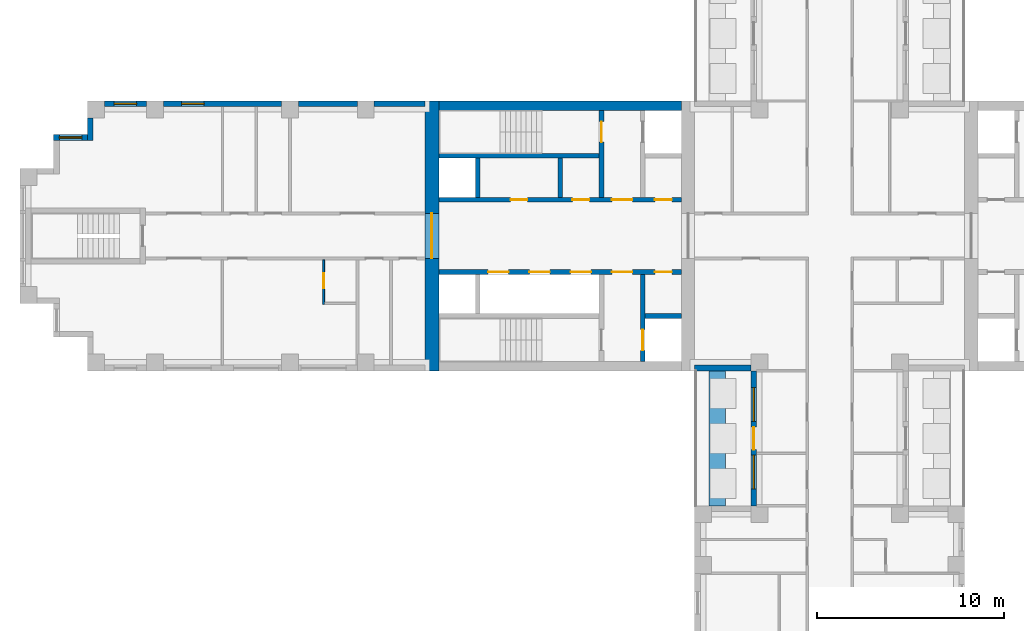
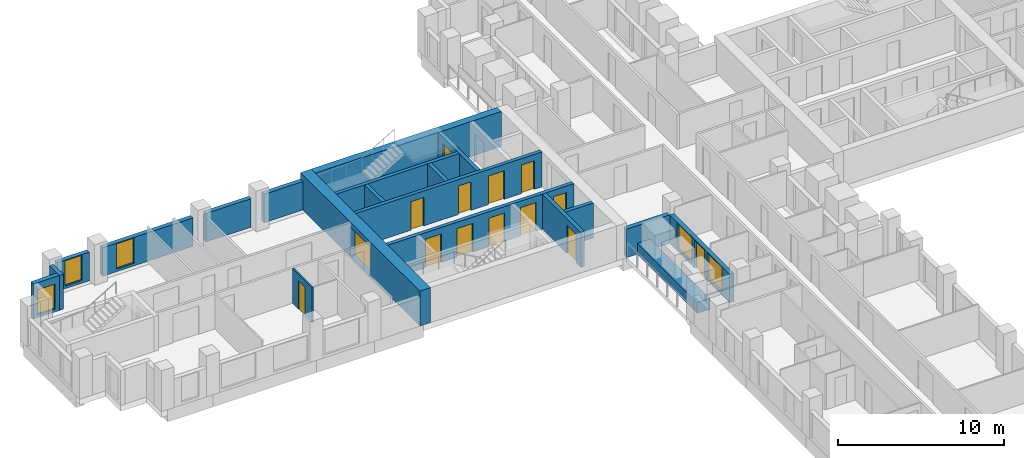
# One storey, part 6 of 13: 20 walls, 14 doors, 5 windows, 19 openings.
"""IFC4 building model written with IfcOpenShell, lengths in metres."""

import ifcopenshell
import ifcopenshell.guid

model = None  # the IFC model being written
_history = None  # IfcOwnerHistory: only IFC2X3 demands one
_inside = {}  # id of a spatial element -> (the spatial element, [elements in it])
_under = {}  # id of a project, library or spatial element -> (it, [spatial elements below it])
_declared = {}  # id of a project -> (the project, [libraries it declares])
_typed = {}  # id of a type object -> (the type object, [elements of that type])
_made_of = {}  # id of a material, layer set ... -> (it, [elements and type objects made of it])


def new_model(schema):
    """Start an empty IFC model of exactly this schema.

    Asked for "IFC4X3", IfcOpenShell would pick the latest addendum, in which some entities
    have other attributes; the version numbers below select the first issue.
    IFC2X3 requires an IfcOwnerHistory on every rooted entity: one is made here for all.
    """
    global model, _history
    if schema == "IFC4X3":
        model = ifcopenshell.file(schema_version=(4, 3, 0, 0))
    else:
        model = ifcopenshell.file(schema=schema)
    _inside.clear()
    _under.clear()
    _declared.clear()
    _typed.clear()
    _made_of.clear()
    _history = None
    if model.schema == "IFC2X3":
        org = make("IfcOrganization", Name="unknown")
        user = make(
            "IfcPersonAndOrganization",
            ThePerson=make("IfcPerson", FamilyName="unknown"),
            TheOrganization=org,
        )
        app = make(
            "IfcApplication",
            ApplicationDeveloper=org,
            Version="unknown",
            ApplicationFullName="unknown",
            ApplicationIdentifier="unknown",
        )
        _history = make(
            "IfcOwnerHistory",
            OwningUser=user,
            OwningApplication=app,
            ChangeAction="ADDED",
            CreationDate=0,
        )
    return model


def make(cls, **values):
    """One entity of the class cls with the attributes given. An attribute that is None is left unset."""
    return model.create_entity(
        cls, **{name: value for name, value in values.items() if value is not None}
    )


def rooted(cls, **values):
    """An entity with a GlobalId (a new one), such as an element, a storey or a relation."""
    return make(cls, GlobalId=ifcopenshell.guid.new(), OwnerHistory=_history, **values)


def si_unit(unit_type, name, prefix=None):
    """IfcSIUnit, for example si_unit("LENGTHUNIT", "METRE", prefix="MILLI")."""
    return make("IfcSIUnit", UnitType=unit_type, Prefix=prefix, Name=name)


def assignment(units):
    """IfcUnitAssignment: the units of a project."""
    return None if units is None else make("IfcUnitAssignment", Units=units)


def point(xyz):
    """IfcCartesianPoint."""
    return None if xyz is None else make("IfcCartesianPoint", Coordinates=xyz)


def direction(xyz):
    """IfcDirection."""
    return None if xyz is None else make("IfcDirection", DirectionRatios=xyz)


def frame(location, z_axis=None, x_axis=None):
    """IfcAxis2Placement3D, a coordinate frame: its origin and axes. An axis left out is left unset."""
    return make(
        "IfcAxis2Placement3D",
        Location=point(location),
        Axis=direction(z_axis),
        RefDirection=direction(x_axis),
    )


def frame_2d(location, x_axis=None):
    """IfcAxis2Placement2D, a coordinate frame in the plane: its origin and x axis."""
    return make(
        "IfcAxis2Placement2D", Location=point(location), RefDirection=direction(x_axis)
    )


def origin():
    """The frame at (0, 0, 0) with its axes left unset."""
    return frame((0.0, 0.0, 0.0))


def place(relative_to, where):
    """IfcLocalPlacement: puts the frame where relative to a parent placement (None: the world)."""
    return make(
        "IfcLocalPlacement", PlacementRelTo=relative_to, RelativePlacement=where
    )


def context(
    kind, dimensions, precision=None, world=None, true_north=None, identifier=None
):
    """IfcGeometricRepresentationContext, for example the 3D "Model" context."""
    return make(
        "IfcGeometricRepresentationContext",
        ContextIdentifier=identifier,
        ContextType=kind,
        CoordinateSpaceDimension=dimensions,
        Precision=precision,
        WorldCoordinateSystem=world,
        TrueNorth=true_north,
    )


def subcontext(parent, identifier, kind, view, scale=None):
    """IfcGeometricRepresentationSubContext, for example "Body" below "Model"."""
    return make(
        "IfcGeometricRepresentationSubContext",
        ContextIdentifier=identifier,
        ContextType=kind,
        ParentContext=parent,
        TargetScale=scale,
        TargetView=view,
    )


def project(units=None, contexts=None):
    """IfcProject with its units and contexts."""
    return rooted(
        "IfcProject",
        Name="project",
        RepresentationContexts=contexts,
        UnitsInContext=assignment(units),
    )


def spatial(cls, under=None, at=None, **own):
    """A site, building, storey or space (cls), placed at a placement, below another one or the project."""
    s = rooted(cls, ObjectPlacement=at, **own)
    if under is not None:
        _under.setdefault(under.id(), (under, []))[1].append(s)
    return s


def profile(cls, at=None, kind="AREA", **sizes):
    """A parametric profile (cls). Its sizes go by their IFC names, for example OverallWidth=200.0."""
    return make(cls, ProfileType=kind, Position=at, **sizes)


def rectangle(**sizes):
    """IfcRectangleProfileDef."""
    return profile("IfcRectangleProfileDef", **sizes)


def extrude(swept, where, along, depth):
    """IfcExtrudedAreaSolid: the profile swept, set in the frame where, extruded along a direction by depth."""
    return make(
        "IfcExtrudedAreaSolid",
        SweptArea=swept,
        Position=where,
        ExtrudedDirection=direction(along),
        Depth=depth,
    )


def shape(context_of_items, identifier, shape_type, items):
    """IfcShapeRepresentation: the items that make up one representation, for example the "Body"."""
    return make(
        "IfcShapeRepresentation",
        ContextOfItems=context_of_items,
        RepresentationIdentifier=identifier,
        RepresentationType=shape_type,
        Items=items,
    )


def material(Name=None, Category=None):
    """IfcMaterial."""
    return make("IfcMaterial", Name=Name, Category=Category)


def layer(
    of_material, thickness, ventilated=None, Name=None, Category=None, Priority=None
):
    """IfcMaterialLayer: one layer of a wall or slab, of a material (None: an air gap)."""
    return make(
        "IfcMaterialLayer",
        Material=of_material,
        LayerThickness=thickness,
        IsVentilated=ventilated,
        Name=Name,
        Category=Category,
        Priority=Priority,
    )


def layer_set(layers, Name=None):
    """IfcMaterialLayerSet."""
    return make("IfcMaterialLayerSet", MaterialLayers=layers, LayerSetName=Name)


def made_of(thing, what):
    """Note that an element or type object is made of a material, layer set ...; save() writes the relation."""
    if what is not None:
        _made_of.setdefault(what.id(), (what, []))[1].append(thing)
    return thing


def type_object(cls, material=None, **own):
    """A type object (cls), such as IfcWallType, which elements share."""
    return made_of(rooted(cls, **own), material)


def element(
    cls,
    number,
    at=None,
    inside=None,
    cuts=None,
    type_object=None,
    material=None,
    context=None,
    identifier="Body",
    shape_type=None,
    held_by="IfcProductDefinitionShape",
    body=None,
    shapes=None,
    **own,
):
    """One element of the class cls, such as IfcWall. Its Tag is "e" and its number.

    at: its placement. inside: the storey or other place that contains it. cuts: it is an
    opening in that element (IfcRelVoidsElement). A single representation is given by context,
    identifier, shape_type and body (its items); several are given by shapes. held_by: the class
    of the entity that holds the representations. save() writes the other relations.
    """
    e = rooted(cls, Tag="e%d" % number, ObjectPlacement=at, **own)
    if body is not None:
        shapes = [shape(context, identifier, shape_type, body)]
    if shapes is not None:
        e.Representation = make(held_by, Representations=shapes)
    if inside is not None:
        _inside.setdefault(inside.id(), (inside, []))[1].append(e)
    if cuts is not None:
        rooted(
            "IfcRelVoidsElement", RelatingBuildingElement=cuts, RelatedOpeningElement=e
        )
    if type_object is not None:
        _typed.setdefault(type_object.id(), (type_object, []))[1].append(e)
    return made_of(e, material)


def fill(opening, filler):
    """IfcRelFillsElement: the door or window that sits in an opening."""
    return rooted(
        "IfcRelFillsElement",
        RelatingOpeningElement=opening,
        RelatedBuildingElement=filler,
    )


def aggregate(whole, parts):
    """IfcRelAggregates: a whole, such as a stair, and the parts it consists of."""
    return rooted("IfcRelAggregates", RelatingObject=whole, RelatedObjects=parts)


def save(model, path):
    """Write the relations noted so far, then the file.

    IfcRelAggregates (storeys below a building ...), IfcRelContainedInSpatialStructure (elements
    in a storey), IfcRelDefinesByType, IfcRelAssociatesMaterial and IfcRelDeclares: one each for
    every whole, place, type object, material and project.
    """
    for whole, parts in _under.values():
        aggregate(whole, parts)
    for where, things in _inside.values():
        rooted(
            "IfcRelContainedInSpatialStructure",
            RelatedElements=things,
            RelatingStructure=where,
        )
    for kind, things in _typed.values():
        rooted("IfcRelDefinesByType", RelatedObjects=things, RelatingType=kind)
    for what, things in _made_of.values():
        rooted("IfcRelAssociatesMaterial", RelatedObjects=things, RelatingMaterial=what)
    for by, libraries in _declared.values():
        rooted("IfcRelDeclares", RelatingContext=by, RelatedDefinitions=libraries)
    model.write(path)


model = new_model("IFC4")

# Units and contexts
model_context = context("Model", 3, precision=1e-05, world=origin(), true_north=direction((0.0, 1.0)))
body_context = subcontext(model_context, "Body", "Model", "MODEL_VIEW")
ifc_project = project(units=[si_unit("LENGTHUNIT", "METRE"), si_unit("AREAUNIT", "SQUARE_METRE"), si_unit("VOLUMEUNIT", "CUBIC_METRE"), si_unit("PLANEANGLEUNIT", "RADIAN"), si_unit("MASSUNIT", "GRAM", prefix="KILO")], contexts=[model_context])

# Site, building, storey
site_placement = place(None, origin())
site = spatial("IfcSite", under=ifc_project, at=site_placement, CompositionType="ELEMENT")
building_placement = place(site_placement, origin())
building = spatial("IfcBuilding", under=site, at=building_placement, Name="Fustian Cross Tower", CompositionType="ELEMENT")
storey_placement = place(building_placement, frame((0.0, 0.0, 81.89990234375)))
storey = spatial("IfcBuildingStorey", under=building, at=storey_placement, Name="L25", CompositionType="ELEMENT", Elevation=81.89990234375)

# Wall, opening, door
ifc_material_1 = material(Name="Concrete C70/85", Category="concrete")
ifc_layer_1 = layer(ifc_material_1, 0.75)
ifc_layer_set_1 = layer_set([ifc_layer_1], Name="Concrete C70/85")
wall_type_1 = type_object("IfcWallType", Name="CORE END WALL 750 C70/85", PredefinedType="SHEAR", material=ifc_layer_set_1)
wall_1_placement = place(storey_placement, frame((-21.22509765625, -7.199951171875, 0.0), z_axis=(0.0, 0.0, 1.0), x_axis=(0.0, 1.0, 0.0)))
wall_1 = element("IfcWall", 1, at=wall_1_placement, inside=storey, type_object=wall_type_1, Name="Core end wall", PredefinedType="SHEAR", context=body_context, shape_type="SweptSolid", body=[
    extrude(rectangle(XDim=14.39990234375, YDim=0.75, at=frame_2d((7.199951171875, 0.0))), origin(), (0.0, 0.0, 1.0), 2.5751953125),
])
opening_1_placement = place(wall_1_placement, frame((6.0, 0.0, 0.0)))
opening_1 = element("IfcOpeningElement", 2, at=opening_1_placement, cuts=wall_1, Name="Opening CD-10-28", PredefinedType="OPENING", context=body_context, shape_type="SweptSolid", body=[
    extrude(rectangle(XDim=2.39990234375, YDim=2.199951171875, at=frame_2d((1.199951171875, 1.10009765625))), frame((0.0, 0.385009765625, 0.0), z_axis=(0.0, -1.0, 0.0), x_axis=(1.0, 0.0, 0.0)), (0.0, 0.0, 1.0), 0.77001953125),
])
ifc_material_2 = material(Name="Steel", Category="steel")
door_type_1 = type_object("IfcDoorType", Name="FIRE DOOR FD30S DOUBLE 2400X2200", OperationType="DOUBLE_DOOR_DOUBLE_SWING", PredefinedType="DOOR", material=ifc_material_2)
door_1_placement = place(opening_1_placement, frame((2.39990234375, 0.0, 0.0), z_axis=(0.0, 0.0, 1.0), x_axis=(-1.0, 0.0, 0.0)))
door_1 = element("IfcDoor", 3, at=door_1_placement, inside=storey, type_object=door_type_1, Name="Core door CD-10-28", OperationType="DOUBLE_DOOR_DOUBLE_SWING", OverallHeight=2.199951171875, OverallWidth=2.39990234375, PredefinedType="DOOR", context=body_context, shape_type="SweptSolid", body=[
    extrude(rectangle(XDim=2.39990234375, YDim=2.199951171875, at=frame_2d((1.199951171875, 1.10009765625))), frame((0.0, 0.02490234375, 0.0), z_axis=(0.0, -1.0, 0.0), x_axis=(1.0, 0.0, 0.0)), (0.0, 0.0, 1.0), 0.050048828125),
])
fill(opening_1, door_1)

# Wall
ifc_material_3 = material(Name="Concrete C70/85", Category="concrete")
ifc_layer_2 = layer(ifc_material_3, 0.5)
ifc_layer_set_2 = layer_set([ifc_layer_2], Name="Concrete C70/85")
wall_type_2 = type_object("IfcWallType", Name="CORE FACADE WALL 500 C70/85", PredefinedType="SHEAR", material=ifc_layer_set_2)
wall_2_placement = place(storey_placement, frame((-7.89990234375, 6.949951171875, 0.0), z_axis=(0.0, 0.0, 1.0), x_axis=(-1.0, 0.0, 0.0)))
element("IfcWall", 4, at=wall_2_placement, inside=storey, type_object=wall_type_2, Name="Core facade wall", PredefinedType="SHEAR", context=body_context, shape_type="SweptSolid", body=[
    extrude(rectangle(XDim=12.9501953125, YDim=0.5, at=frame_2d((6.47509765625, 0.0))), origin(), (0.0, 0.0, 1.0), 2.5751953125),
])

# Wall, openings, doors
ifc_material_4 = material(Name="Concrete C50/60", Category="concrete")
ifc_layer_3 = layer(ifc_material_4, 0.25)
ifc_layer_set_3 = layer_set([ifc_layer_3], Name="Concrete C50/60")
wall_type_3 = type_object("IfcWallType", Name="CORE LOBBY WALL 250 C50/60", PredefinedType="SHEAR", material=ifc_layer_set_3)
wall_3_placement = place(storey_placement, frame((-7.89990234375, 1.925048828125, 0.0), z_axis=(0.0, 0.0, 1.0), x_axis=(-1.0, 0.0, 0.0)))
wall_3 = element("IfcWall", 5, at=wall_3_placement, inside=storey, type_object=wall_type_3, Name="Core lobby wall", PredefinedType="SHEAR", context=body_context, shape_type="SweptSolid", body=[
    extrude(rectangle(XDim=12.9501953125, YDim=0.25, at=frame_2d((6.47509765625, 0.0))), origin(), (0.0, 0.0, 1.0), 2.5751953125),
])
opening_2_placement = place(wall_3_placement, frame((0.52490234375, 0.0, 0.0)))
opening_2 = element("IfcOpeningElement", 6, at=opening_2_placement, cuts=wall_3, Name="Opening CD-10-23", PredefinedType="OPENING", context=body_context, shape_type="SweptSolid", body=[
    extrude(rectangle(XDim=0.89990234375, YDim=2.10009765625, at=frame_2d((0.449951171875, 1.050048828125))), frame((0.0, 0.135009765625, 0.0), z_axis=(0.0, -1.0, 0.0), x_axis=(1.0, 0.0, 0.0)), (0.0, 0.0, 1.0), 0.27001953125),
])
opening_3_placement = place(wall_3_placement, frame((2.625, 0.0, 0.0)))
opening_3 = element("IfcOpeningElement", 7, at=opening_3_placement, cuts=wall_3, Name="Opening CD-10-25", PredefinedType="OPENING", context=body_context, shape_type="SweptSolid", body=[
    extrude(rectangle(XDim=1.10009765625, YDim=2.10009765625, at=frame_2d((0.550048828125, 1.050048828125))), frame((0.0, 0.135009765625, 0.0), z_axis=(0.0, -1.0, 0.0), x_axis=(1.0, 0.0, 0.0)), (0.0, 0.0, 1.0), 0.27001953125),
])
opening_4_placement = place(wall_3_placement, frame((4.925048828125, 0.0, 0.0)))
opening_4 = element("IfcOpeningElement", 8, at=opening_4_placement, cuts=wall_3, Name="Opening CD-10-29", PredefinedType="OPENING", context=body_context, shape_type="SweptSolid", body=[
    extrude(rectangle(XDim=0.89990234375, YDim=2.10009765625, at=frame_2d((0.449951171875, 1.050048828125))), frame((0.0, 0.135009765625, 0.0), z_axis=(0.0, -1.0, 0.0), x_axis=(1.0, 0.0, 0.0)), (0.0, 0.0, 1.0), 0.27001953125),
])
opening_5_placement = place(wall_3_placement, frame((8.22509765625, 0.0, 0.0)))
opening_5 = element("IfcOpeningElement", 9, at=opening_5_placement, cuts=wall_3, Name="Opening CD-10-30", PredefinedType="OPENING", context=body_context, shape_type="SweptSolid", body=[
    extrude(rectangle(XDim=0.89990234375, YDim=2.10009765625, at=frame_2d((0.449951171875, 1.050048828125))), frame((0.0, 0.135009765625, 0.0), z_axis=(0.0, -1.0, 0.0), x_axis=(1.0, 0.0, 0.0)), (0.0, 0.0, 1.0), 0.27001953125),
])
ifc_material_5 = material(Name="Steel", Category="steel")
door_type_2 = type_object("IfcDoorType", Name="FIRE DOOR FD30S 900X2100", OperationType="SINGLE_SWING_LEFT", PredefinedType="DOOR", material=ifc_material_5)
door_2_placement = place(opening_4_placement, frame((0.89990234375, 0.0, 0.0), z_axis=(0.0, 0.0, 1.0), x_axis=(-1.0, 0.0, 0.0)))
door_2 = element("IfcDoor", 10, at=door_2_placement, inside=storey, type_object=door_type_2, Name="Core door CD-10-29", OperationType="SINGLE_SWING_RIGHT", OverallHeight=2.10009765625, OverallWidth=0.89990234375, PredefinedType="DOOR", context=body_context, shape_type="SweptSolid", body=[
    extrude(rectangle(XDim=0.89990234375, YDim=2.10009765625, at=frame_2d((0.449951171875, 1.050048828125))), frame((0.0, 0.02490234375, 0.0), z_axis=(0.0, -1.0, 0.0), x_axis=(1.0, 0.0, 0.0)), (0.0, 0.0, 1.0), 0.050048828125),
])
fill(opening_4, door_2)
door_3_placement = place(opening_5_placement, frame((0.89990234375, 0.0, 0.0), z_axis=(0.0, 0.0, 1.0), x_axis=(-1.0, 0.0, 0.0)))
door_3 = element("IfcDoor", 11, at=door_3_placement, inside=storey, type_object=door_type_2, Name="Core door CD-10-30", OperationType="SINGLE_SWING_LEFT", OverallHeight=2.10009765625, OverallWidth=0.89990234375, PredefinedType="DOOR", context=body_context, shape_type="SweptSolid", body=[
    extrude(rectangle(XDim=0.89990234375, YDim=2.10009765625, at=frame_2d((0.449951171875, 1.050048828125))), frame((0.0, 0.02490234375, 0.0), z_axis=(0.0, -1.0, 0.0), x_axis=(1.0, 0.0, 0.0)), (0.0, 0.0, 1.0), 0.050048828125),
])
fill(opening_5, door_3)
ifc_material_6 = material(Name="Steel", Category="steel")
door_type_3 = type_object("IfcDoorType", Name="FIRE DOOR FD60S 1100X2100", OperationType="SINGLE_SWING_LEFT", PredefinedType="DOOR", material=ifc_material_6)
door_4_placement = place(opening_3_placement, frame((1.10009765625, 0.0, 0.0), z_axis=(0.0, 0.0, 1.0), x_axis=(-1.0, 0.0, 0.0)))
door_4 = element("IfcDoor", 12, at=door_4_placement, inside=storey, type_object=door_type_3, Name="Core door CD-10-25", OperationType="SINGLE_SWING_RIGHT", OverallHeight=2.10009765625, OverallWidth=1.10009765625, PredefinedType="DOOR", context=body_context, shape_type="SweptSolid", body=[
    extrude(rectangle(XDim=1.10009765625, YDim=2.10009765625, at=frame_2d((0.550048828125, 1.050048828125))), frame((0.0, 0.02490234375, 0.0), z_axis=(0.0, -1.0, 0.0), x_axis=(1.0, 0.0, 0.0)), (0.0, 0.0, 1.0), 0.050048828125),
])
fill(opening_3, door_4)
ifc_material_7 = material(Name="Steel", Category="steel")
door_type_4 = type_object("IfcDoorType", Name="FIRE DOOR FD60S 900X2100", OperationType="SINGLE_SWING_LEFT", PredefinedType="DOOR", material=ifc_material_7)
door_5_placement = place(opening_2_placement, frame((0.89990234375, 0.0, 0.0), z_axis=(0.0, 0.0, 1.0), x_axis=(-1.0, 0.0, 0.0)))
door_5 = element("IfcDoor", 13, at=door_5_placement, inside=storey, type_object=door_type_4, Name="Core door CD-10-23", OperationType="SINGLE_SWING_RIGHT", OverallHeight=2.10009765625, OverallWidth=0.89990234375, PredefinedType="DOOR", context=body_context, shape_type="SweptSolid", body=[
    extrude(rectangle(XDim=0.89990234375, YDim=2.10009765625, at=frame_2d((0.449951171875, 1.050048828125))), frame((0.0, 0.02490234375, 0.0), z_axis=(0.0, -1.0, 0.0), x_axis=(1.0, 0.0, 0.0)), (0.0, 0.0, 1.0), 0.050048828125),
])
fill(opening_2, door_5)

wall_4_placement = place(storey_placement, frame((-7.89990234375, -1.925048828125, 0.0), z_axis=(0.0, 0.0, 1.0), x_axis=(-1.0, 0.0, 0.0)))
wall_4 = element("IfcWall", 14, at=wall_4_placement, inside=storey, type_object=wall_type_3, Name="Core lobby wall", PredefinedType="SHEAR", context=body_context, shape_type="SweptSolid", body=[
    extrude(rectangle(XDim=12.9501953125, YDim=0.25, at=frame_2d((6.47509765625, 0.0))), origin(), (0.0, 0.0, 1.0), 2.5751953125),
])
opening_6_placement = place(wall_4_placement, frame((4.824951171875, 0.0, 0.0)))
opening_6 = element("IfcOpeningElement", 15, at=opening_6_placement, cuts=wall_4, Name="Opening LD", PredefinedType="OPENING", context=body_context, shape_type="SweptSolid", body=[
    extrude(rectangle(XDim=1.10009765625, YDim=2.10009765625, at=frame_2d((0.550048828125, 1.050048828125))), frame((0.0, 0.135009765625, 0.0), z_axis=(0.0, -1.0, 0.0), x_axis=(1.0, 0.0, 0.0)), (0.0, 0.0, 1.0), 0.27001953125),
])
opening_7_placement = place(wall_4_placement, frame((7.02490234375, 0.0, 0.0)))
opening_7 = element("IfcOpeningElement", 16, at=opening_7_placement, cuts=wall_4, Name="Opening LD", PredefinedType="OPENING", context=body_context, shape_type="SweptSolid", body=[
    extrude(rectangle(XDim=1.10009765625, YDim=2.10009765625, at=frame_2d((0.550048828125, 1.050048828125))), frame((0.0, 0.135009765625, 0.0), z_axis=(0.0, -1.0, 0.0), x_axis=(1.0, 0.0, 0.0)), (0.0, 0.0, 1.0), 0.27001953125),
])
opening_8_placement = place(wall_4_placement, frame((9.22509765625, 0.0, 0.0)))
opening_8 = element("IfcOpeningElement", 17, at=opening_8_placement, cuts=wall_4, Name="Opening LD", PredefinedType="OPENING", context=body_context, shape_type="SweptSolid", body=[
    extrude(rectangle(XDim=1.10009765625, YDim=2.10009765625, at=frame_2d((0.550048828125, 1.050048828125))), frame((0.0, 0.135009765625, 0.0), z_axis=(0.0, -1.0, 0.0), x_axis=(1.0, 0.0, 0.0)), (0.0, 0.0, 1.0), 0.27001953125),
])
opening_9_placement = place(wall_4_placement, frame((0.52490234375, 0.0, 0.0)))
opening_9 = element("IfcOpeningElement", 18, at=opening_9_placement, cuts=wall_4, Name="Opening CD-10-24", PredefinedType="OPENING", context=body_context, shape_type="SweptSolid", body=[
    extrude(rectangle(XDim=0.89990234375, YDim=2.10009765625, at=frame_2d((0.449951171875, 1.050048828125))), frame((0.0, 0.135009765625, 0.0), z_axis=(0.0, -1.0, 0.0), x_axis=(1.0, 0.0, 0.0)), (0.0, 0.0, 1.0), 0.27001953125),
])
opening_10_placement = place(wall_4_placement, frame((2.625, 0.0, 0.0)))
opening_10 = element("IfcOpeningElement", 19, at=opening_10_placement, cuts=wall_4, Name="Opening CD-10-26", PredefinedType="OPENING", context=body_context, shape_type="SweptSolid", body=[
    extrude(rectangle(XDim=1.10009765625, YDim=2.10009765625, at=frame_2d((0.550048828125, 1.050048828125))), frame((0.0, 0.135009765625, 0.0), z_axis=(0.0, -1.0, 0.0), x_axis=(1.0, 0.0, 0.0)), (0.0, 0.0, 1.0), 0.27001953125),
])
ifc_material_8 = material(Name="Steel", Category="steel")
door_type_5 = type_object("IfcDoorType", Name="FIRE DOOR FD30S 1100X2100", OperationType="SINGLE_SWING_LEFT", PredefinedType="DOOR", material=ifc_material_8)
door_6_placement = place(opening_10_placement, frame((1.10009765625, 0.0, 0.0), z_axis=(0.0, 0.0, 1.0), x_axis=(-1.0, 0.0, 0.0)))
door_6 = element("IfcDoor", 20, at=door_6_placement, inside=storey, type_object=door_type_5, Name="Core door CD-10-26", OperationType="SINGLE_SWING_RIGHT", OverallHeight=2.10009765625, OverallWidth=1.10009765625, PredefinedType="DOOR", context=body_context, shape_type="SweptSolid", body=[
    extrude(rectangle(XDim=1.10009765625, YDim=2.10009765625, at=frame_2d((0.550048828125, 1.050048828125))), frame((0.0, 0.02490234375, 0.0), z_axis=(0.0, -1.0, 0.0), x_axis=(1.0, 0.0, 0.0)), (0.0, 0.0, 1.0), 0.050048828125),
])
fill(opening_10, door_6)
door_7_placement = place(opening_9_placement, origin())
door_7 = element("IfcDoor", 21, at=door_7_placement, inside=storey, type_object=door_type_2, Name="Core door CD-10-24", OperationType="SINGLE_SWING_LEFT", OverallHeight=2.10009765625, OverallWidth=0.89990234375, PredefinedType="DOOR", context=body_context, shape_type="SweptSolid", body=[
    extrude(rectangle(XDim=0.89990234375, YDim=2.10009765625, at=frame_2d((0.449951171875, 1.050048828125))), frame((0.0, 0.02490234375, 0.0), z_axis=(0.0, -1.0, 0.0), x_axis=(1.0, 0.0, 0.0)), (0.0, 0.0, 1.0), 0.050048828125),
])
fill(opening_9, door_7)
ifc_material_9 = material(Name="Stainless steel", Category="steel")
door_type_6 = type_object("IfcDoorType", Name="LIFT LANDING DOOR 1100X2100", OperationType="SLIDING_TO_LEFT", PredefinedType="DOOR", material=ifc_material_9)
door_8_placement = place(opening_6_placement, origin())
door_8 = element("IfcDoor", 22, at=door_8_placement, inside=storey, type_object=door_type_6, Name="Landing door LR1W", OperationType="SLIDING_TO_LEFT", OverallHeight=2.10009765625, OverallWidth=1.10009765625, PredefinedType="DOOR", context=body_context, shape_type="SweptSolid", body=[
    extrude(rectangle(XDim=1.10009765625, YDim=2.10009765625, at=frame_2d((0.550048828125, 1.050048828125))), frame((0.0, 0.02490234375, 0.0), z_axis=(0.0, -1.0, 0.0), x_axis=(1.0, 0.0, 0.0)), (0.0, 0.0, 1.0), 0.050048828125),
])
fill(opening_6, door_8)
door_9_placement = place(opening_7_placement, origin())
door_9 = element("IfcDoor", 23, at=door_9_placement, inside=storey, type_object=door_type_6, Name="Landing door LR2W", OperationType="SLIDING_TO_LEFT", OverallHeight=2.10009765625, OverallWidth=1.10009765625, PredefinedType="DOOR", context=body_context, shape_type="SweptSolid", body=[
    extrude(rectangle(XDim=1.10009765625, YDim=2.10009765625, at=frame_2d((0.550048828125, 1.050048828125))), frame((0.0, 0.02490234375, 0.0), z_axis=(0.0, -1.0, 0.0), x_axis=(1.0, 0.0, 0.0)), (0.0, 0.0, 1.0), 0.050048828125),
])
fill(opening_7, door_9)
door_10_placement = place(opening_8_placement, origin())
door_10 = element("IfcDoor", 24, at=door_10_placement, inside=storey, type_object=door_type_6, Name="Landing door LR3W", OperationType="SLIDING_TO_LEFT", OverallHeight=2.10009765625, OverallWidth=1.10009765625, PredefinedType="DOOR", context=body_context, shape_type="SweptSolid", body=[
    extrude(rectangle(XDim=1.10009765625, YDim=2.10009765625, at=frame_2d((0.550048828125, 1.050048828125))), frame((0.0, 0.02490234375, 0.0), z_axis=(0.0, -1.0, 0.0), x_axis=(1.0, 0.0, 0.0)), (0.0, 0.0, 1.0), 0.050048828125),
])
fill(opening_8, door_10)

# Wall
ifc_material_10 = material(Name="Concrete C50/60", Category="concrete")
ifc_layer_4 = layer(ifc_material_10, 0.25)
ifc_layer_set_4 = layer_set([ifc_layer_4], Name="Concrete C50/60")
wall_type_4 = type_object("IfcWallType", Name="CORE SHAFT WALL 250 C50/60", PredefinedType="SHEAR", material=ifc_layer_set_4)
wall_5_placement = place(storey_placement, frame((-12.300048828125, 4.27490234375, 0.0), z_axis=(0.0, 0.0, 1.0), x_axis=(-1.0, 0.0, 0.0)))
element("IfcWall", 25, at=wall_5_placement, inside=storey, type_object=wall_type_4, Name="Core shaft wall", PredefinedType="SHEAR", context=body_context, shape_type="SweptSolid", body=[
    extrude(rectangle(XDim=8.550048828125, YDim=0.25, at=frame_2d((4.27490234375, 0.0))), origin(), (0.0, 0.0, 1.0), 2.5751953125),
])

# Wall, opening, door
wall_6_placement = place(storey_placement, frame((-12.175048828125, 2.050048828125, 0.0), z_axis=(0.0, 0.0, 1.0), x_axis=(0.0, 1.0, 0.0)))
wall_6 = element("IfcWall", 26, at=wall_6_placement, inside=storey, type_object=wall_type_4, Name="Core shaft wall", PredefinedType="SHEAR", context=body_context, shape_type="SweptSolid", body=[
    extrude(rectangle(XDim=4.64990234375, YDim=0.25, at=frame_2d((2.324951171875, 0.0))), origin(), (0.0, 0.0, 1.0), 2.5751953125),
])
opening_11_placement = place(wall_6_placement, frame((2.949951171875, 0.0, 0.0)))
opening_11 = element("IfcOpeningElement", 27, at=opening_11_placement, cuts=wall_6, Name="Opening CD-10-21", PredefinedType="OPENING", context=body_context, shape_type="SweptSolid", body=[
    extrude(rectangle(XDim=1.10009765625, YDim=2.10009765625, at=frame_2d((0.550048828125, 1.050048828125))), frame((0.0, 0.135009765625, 0.0), z_axis=(0.0, -1.0, 0.0), x_axis=(1.0, 0.0, 0.0)), (0.0, 0.0, 1.0), 0.27001953125),
])
door_11_placement = place(opening_11_placement, origin())
door_11 = element("IfcDoor", 28, at=door_11_placement, inside=storey, type_object=door_type_3, Name="Core door CD-10-21", OperationType="SINGLE_SWING_LEFT", OverallHeight=2.10009765625, OverallWidth=1.10009765625, PredefinedType="DOOR", context=body_context, shape_type="SweptSolid", body=[
    extrude(rectangle(XDim=1.10009765625, YDim=2.10009765625, at=frame_2d((0.550048828125, 1.050048828125))), frame((0.0, 0.02490234375, 0.0), z_axis=(0.0, -1.0, 0.0), x_axis=(1.0, 0.0, 0.0)), (0.0, 0.0, 1.0), 0.050048828125),
])
fill(opening_11, door_11)

# Wall
wall_7_placement = place(storey_placement, frame((-7.89990234375, -4.27490234375, 0.0), z_axis=(0.0, 0.0, 1.0), x_axis=(-1.0, 0.0, 0.0)))
element("IfcWall", 29, at=wall_7_placement, inside=storey, type_object=wall_type_4, Name="Core shaft wall", PredefinedType="SHEAR", context=body_context, shape_type="SweptSolid", body=[
    extrude(rectangle(XDim=1.9501953125, YDim=0.25, at=frame_2d((0.97509765625, 0.0))), origin(), (0.0, 0.0, 1.0), 2.5751953125),
])

# Wall, opening, door
wall_8_placement = place(storey_placement, frame((-9.97509765625, -2.050048828125, 0.0), z_axis=(0.0, 0.0, 1.0), x_axis=(0.0, -1.0, 0.0)))
wall_8 = element("IfcWall", 30, at=wall_8_placement, inside=storey, type_object=wall_type_4, Name="Core shaft wall", PredefinedType="SHEAR", context=body_context, shape_type="SweptSolid", body=[
    extrude(rectangle(XDim=4.64990234375, YDim=0.25, at=frame_2d((2.324951171875, 0.0))), origin(), (0.0, 0.0, 1.0), 2.5751953125),
])
opening_12_placement = place(wall_8_placement, frame((2.949951171875, 0.0, 0.0)))
opening_12 = element("IfcOpeningElement", 31, at=opening_12_placement, cuts=wall_8, Name="Opening LD", PredefinedType="OPENING", context=body_context, shape_type="SweptSolid", body=[
    extrude(rectangle(XDim=1.10009765625, YDim=2.10009765625, at=frame_2d((0.550048828125, 1.050048828125))), frame((0.0, 0.135009765625, 0.0), z_axis=(0.0, -1.0, 0.0), x_axis=(1.0, 0.0, 0.0)), (0.0, 0.0, 1.0), 0.27001953125),
])
door_12_placement = place(opening_12_placement, origin())
door_12 = element("IfcDoor", 32, at=door_12_placement, inside=storey, type_object=door_type_6, Name="Landing door SV1W", OperationType="SLIDING_TO_LEFT", OverallHeight=2.10009765625, OverallWidth=1.10009765625, PredefinedType="DOOR", context=body_context, shape_type="SweptSolid", body=[
    extrude(rectangle(XDim=1.10009765625, YDim=2.10009765625, at=frame_2d((0.550048828125, 1.050048828125))), frame((0.0, 0.02490234375, 0.0), z_axis=(0.0, -1.0, 0.0), x_axis=(1.0, 0.0, 0.0)), (0.0, 0.0, 1.0), 0.050048828125),
])
fill(opening_12, door_12)

ifc_material_11 = material(Name="Plasterboard on steel stud", Category="steel")
ifc_layer_5 = layer(ifc_material_11, 0.10009765625)
ifc_layer_set_5 = layer_set([ifc_layer_5], Name="Plasterboard on steel stud")
wall_type_5 = type_object("IfcWallType", Name="PARTITION 100 STUD", PredefinedType="PARTITIONING", material=ifc_layer_set_5)
wall_9_placement = place(storey_placement, frame((-27.0, -3.64990234375, 0.0), z_axis=(0.0, 0.0, 1.0), x_axis=(0.0, 1.0, 0.0)))
wall_9 = element("IfcWall", 33, at=wall_9_placement, inside=storey, type_object=wall_type_5, Name="Partition 7", PredefinedType="PARTITIONING", context=body_context, shape_type="SweptSolid", body=[
    extrude(rectangle(XDim=2.375, YDim=0.10009765625, at=frame_2d((1.1875, 0.0))), origin(), (0.0, 0.0, 1.0), 2.5751953125),
])
opening_13_placement = place(wall_9_placement, frame((0.85009765625, 0.0, 0.0)))
opening_13 = element("IfcOpeningElement", 34, at=opening_13_placement, cuts=wall_9, Name="Opening D12030", PredefinedType="OPENING", context=body_context, shape_type="SweptSolid", body=[
    extrude(rectangle(XDim=0.800048828125, YDim=2.10009765625, at=frame_2d((0.39990234375, 1.050048828125))), frame((0.0, 0.06005859375, 0.0), z_axis=(0.0, -1.0, 0.0), x_axis=(1.0, 0.0, 0.0)), (0.0, 0.0, 1.0), 0.1201171875),
])
ifc_material_12 = material(Name="Painted timber", Category="wood")
door_type_7 = type_object("IfcDoorType", Name="SWING DOOR 800", OperationType="SINGLE_SWING_LEFT", PredefinedType="DOOR", material=ifc_material_12)
door_13_placement = place(opening_13_placement, frame((0.800048828125, 0.0, 0.0), z_axis=(0.0, 0.0, 1.0), x_axis=(-1.0, 0.0, 0.0)))
door_13 = element("IfcDoor", 35, at=door_13_placement, inside=storey, type_object=door_type_7, Name="Door D12030", OperationType="SINGLE_SWING_RIGHT", OverallHeight=2.10009765625, OverallWidth=0.800048828125, PredefinedType="DOOR", context=body_context, shape_type="SweptSolid", body=[
    extrude(rectangle(XDim=0.800048828125, YDim=2.10009765625, at=frame_2d((0.39990234375, 1.050048828125))), frame((0.0, 0.02490234375, 0.0), z_axis=(0.0, -1.0, 0.0), x_axis=(1.0, 0.0, 0.0)), (0.0, 0.0, 1.0), 0.050048828125),
])
fill(opening_13, door_13)

# Walls
ifc_material_13 = material(Name="Concrete C40/50", Category="concrete")
ifc_layer_6 = layer(ifc_material_13, 0.89990234375)
ifc_layer_set_6 = layer_set([ifc_layer_6], Name="Concrete C40/50")
wall_type_6 = type_object("IfcWallType", Name="PK1 PLANTER 900", PredefinedType="PARAPET", material=ifc_layer_set_6)
wall_10_placement = place(storey_placement, frame((-6.0, -14.39990234375, 0.0), z_axis=(0.0, 0.0, 1.0), x_axis=(0.0, 1.0, 0.0)))
element("IfcWall", 36, at=wall_10_placement, inside=storey, type_object=wall_type_6, Name="PLANTER", PredefinedType="PARAPET", context=body_context, shape_type="SweptSolid", body=[
    extrude(rectangle(XDim=7.199951171875, YDim=0.89990234375, at=frame_2d((3.60009765625, 0.0))), origin(), (0.0, 0.0, 1.0), 0.800048828125),
])
ifc_material_14 = material(Name="Concrete C40/50", Category="concrete")
ifc_layer_7 = layer(ifc_material_14, 0.25)
ifc_layer_set_7 = layer_set([ifc_layer_7], Name="Concrete C40/50")
wall_type_7 = type_object("IfcWallType", Name="SHAFT PARTITION WALL 250 C40/50", PredefinedType="PARTITIONING", material=ifc_layer_set_7)
for number, where, z_axis, x_axis, name in (
    (37, (-14.375, 2.050048828125, 0.0), (0.0, 0.0, 1.0), (0.0, 1.0, 0.0), "Core shaft wall"),
    (38, (-18.77490234375, 2.050048828125, 0.0), (0.0, 0.0, 1.0), (0.0, 1.0, 0.0), "Core shaft wall"),
):
    element("IfcWall", number, at=place(storey_placement, frame(where, z_axis=z_axis, x_axis=x_axis)), inside=storey, type_object=wall_type_7, Name=name, PredefinedType="PARTITIONING", context=body_context, shape_type="SweptSolid", body=[
        extrude(rectangle(XDim=2.099853515625, YDim=0.25, at=frame_2d((1.0498046875, 0.0))), origin(), (0.0, 0.0, 1.0), 2.5751953125),
    ])
ifc_material_15 = material(Name="Dark aluminium cladding on insulated backing wall", Category="aluminium")
ifc_layer_8 = layer(ifc_material_15, 0.300048828125)
ifc_layer_set_8 = layer_set([ifc_layer_8], Name="Dark aluminium cladding on insulated backing wall")
wall_type_8 = type_object("IfcWallType", Name="XW1 EXTERNAL WALL 300", PredefinedType="SOLIDWALL", material=ifc_layer_set_8)
wall_11_placement = place(storey_placement, frame((-21.60009765625, 7.050048828125, 0.0), z_axis=(0.0, 0.0, 1.0), x_axis=(-1.0, 0.0, 0.0)))
element("IfcWall", 39, at=wall_11_placement, inside=storey, type_object=wall_type_8, Name="External wall", PredefinedType="SOLIDWALL", context=body_context, shape_type="SweptSolid", body=[
    extrude(rectangle(XDim=2.699951171875, YDim=0.300048828125, at=frame_2d((1.35009765625, 0.0))), origin(), (0.0, 0.0, 1.0), 2.10009765625),
])
wall_12_placement = place(storey_placement, frame((-25.199951171875, 7.050048828125, 0.0), z_axis=(0.0, 0.0, 1.0), x_axis=(-1.0, 0.0, 0.0)))
element("IfcWall", 40, at=wall_12_placement, inside=storey, type_object=wall_type_8, Name="External wall", PredefinedType="SOLIDWALL", context=body_context, shape_type="SweptSolid", body=[
    extrude(rectangle(XDim=3.150146484375, YDim=0.300048828125, at=frame_2d((1.5751953125, 0.0))), origin(), (0.0, 0.0, 1.0), 2.10009765625),
])

# Wall, opening, window
wall_13_placement = place(storey_placement, frame((-29.25, 7.050048828125, 0.0), z_axis=(0.0, 0.0, 1.0), x_axis=(-1.0, 0.0, 0.0)))
wall_13 = element("IfcWall", 41, at=wall_13_placement, inside=storey, type_object=wall_type_8, Name="External wall", PredefinedType="SOLIDWALL", context=body_context, shape_type="SweptSolid", body=[
    extrude(rectangle(XDim=6.300048828125, YDim=0.300048828125, at=frame_2d((3.14990234375, 0.0))), origin(), (0.0, 0.0, 1.0), 2.10009765625),
])
opening_14_placement = place(wall_13_placement, frame((4.125, 0.0, 0.199951171875)))
opening_14 = element("IfcOpeningElement", 42, at=opening_14_placement, cuts=wall_13, Name="Opening WN3", PredefinedType="OPENING", context=body_context, shape_type="SweptSolid", body=[
    extrude(rectangle(XDim=1.199951171875, YDim=1.85009765625, at=frame_2d((0.60009765625, 0.925048828125))), frame((0.0, 0.159912109375, 0.0), z_axis=(0.0, -1.0, 0.0), x_axis=(1.0, 0.0, 0.0)), (0.0, 0.0, 1.0), 0.320068359375),
])
ifc_material_16 = material(Name="Dark anodised aluminium and double glazing", Category="aluminium")
window_type_1 = type_object("IfcWindowType", Name="WN3 WINDOW 1200X1850", PartitioningType="SINGLE_PANEL", PredefinedType="WINDOW", material=ifc_material_16)
window_1_placement = place(opening_14_placement, origin())
window_1 = element("IfcWindow", 43, at=window_1_placement, inside=storey, type_object=window_type_1, Name="Window", OverallHeight=1.85009765625, OverallWidth=1.199951171875, PartitioningType="SINGLE_PANEL", PredefinedType="WINDOW", context=body_context, shape_type="SweptSolid", body=[
    extrude(rectangle(XDim=1.199951171875, YDim=1.85009765625, at=frame_2d((0.60009765625, 0.925048828125))), frame((0.0, 0.030029296875, 0.0), z_axis=(0.0, -1.0, 0.0), x_axis=(1.0, 0.0, 0.0)), (0.0, 0.0, 1.0), 0.06005859375),
])
fill(opening_14, window_1)

wall_14_placement = place(storey_placement, frame((-36.449951171875, 7.050048828125, 0.0), z_axis=(0.0, 0.0, 1.0), x_axis=(-1.0, 0.0, 0.0)))
wall_14 = element("IfcWall", 44, at=wall_14_placement, inside=storey, type_object=wall_type_8, Name="External wall", PredefinedType="SOLIDWALL", context=body_context, shape_type="SweptSolid", body=[
    extrude(rectangle(XDim=2.25, YDim=0.300048828125, at=frame_2d((1.125, 0.0))), origin(), (0.0, 0.0, 1.0), 2.10009765625),
])
opening_15_placement = place(wall_14_placement, frame((0.52490234375, 0.0, 0.199951171875)))
opening_15 = element("IfcOpeningElement", 45, at=opening_15_placement, cuts=wall_14, Name="Opening WN3", PredefinedType="OPENING", context=body_context, shape_type="SweptSolid", body=[
    extrude(rectangle(XDim=1.199951171875, YDim=1.85009765625, at=frame_2d((0.60009765625, 0.925048828125))), frame((0.0, 0.159912109375, 0.0), z_axis=(0.0, -1.0, 0.0), x_axis=(1.0, 0.0, 0.0)), (0.0, 0.0, 1.0), 0.320068359375),
])
window_2_placement = place(opening_15_placement, origin())
window_2 = element("IfcWindow", 46, at=window_2_placement, inside=storey, type_object=window_type_1, Name="Window", OverallHeight=1.85009765625, OverallWidth=1.199951171875, PartitioningType="SINGLE_PANEL", PredefinedType="WINDOW", context=body_context, shape_type="SweptSolid", body=[
    extrude(rectangle(XDim=1.199951171875, YDim=1.85009765625, at=frame_2d((0.60009765625, 0.925048828125))), frame((0.0, 0.030029296875, 0.0), z_axis=(0.0, -1.0, 0.0), x_axis=(1.0, 0.0, 0.0)), (0.0, 0.0, 1.0), 0.06005859375),
])
fill(opening_15, window_2)

# Wall
wall_15_placement = place(storey_placement, frame((-39.449951171875, 6.300048828125, 0.0), z_axis=(0.0, 0.0, 1.0), x_axis=(0.0, -1.0, 0.0)))
element("IfcWall", 47, at=wall_15_placement, inside=storey, type_object=wall_type_8, Name="External wall", PredefinedType="SOLIDWALL", context=body_context, shape_type="SweptSolid", body=[
    extrude(rectangle(XDim=1.199951171875, YDim=0.300048828125, at=frame_2d((0.60009765625, 0.0))), origin(), (0.0, 0.0, 1.0), 2.5751953125),
])

# Wall, opening, window
wall_16_placement = place(storey_placement, frame((-39.60009765625, 5.25, 0.0), z_axis=(0.0, 0.0, 1.0), x_axis=(-1.0, 0.0, 0.0)))
wall_16 = element("IfcWall", 48, at=wall_16_placement, inside=storey, type_object=wall_type_8, Name="External wall", PredefinedType="SOLIDWALL", context=body_context, shape_type="SweptSolid", body=[
    extrude(rectangle(XDim=1.7998046875, YDim=0.300048828125, at=frame_2d((0.89990234375, 0.0))), origin(), (0.0, 0.0, 1.0), 2.5751953125),
])
opening_16_placement = place(wall_16_placement, frame((0.300048828125, 0.0, 0.199951171875)))
opening_16 = element("IfcOpeningElement", 49, at=opening_16_placement, cuts=wall_16, Name="Opening WN3", PredefinedType="OPENING", context=body_context, shape_type="SweptSolid", body=[
    extrude(rectangle(XDim=1.199951171875, YDim=1.85009765625, at=frame_2d((0.60009765625, 0.925048828125))), frame((0.0, 0.159912109375, 0.0), z_axis=(0.0, -1.0, 0.0), x_axis=(1.0, 0.0, 0.0)), (0.0, 0.0, 1.0), 0.320068359375),
])
window_3_placement = place(opening_16_placement, origin())
window_3 = element("IfcWindow", 50, at=window_3_placement, inside=storey, type_object=window_type_1, Name="Window", OverallHeight=1.85009765625, OverallWidth=1.199951171875, PartitioningType="SINGLE_PANEL", PredefinedType="WINDOW", context=body_context, shape_type="SweptSolid", body=[
    extrude(rectangle(XDim=1.199951171875, YDim=1.85009765625, at=frame_2d((0.60009765625, 0.925048828125))), frame((0.0, 0.030029296875, 0.0), z_axis=(0.0, -1.0, 0.0), x_axis=(1.0, 0.0, 0.0)), (0.0, 0.0, 1.0), 0.06005859375),
])
fill(opening_16, window_3)

# Wall
wall_17_placement = place(storey_placement, frame((-7.199951171875, -7.050048828125, 0.0), z_axis=(0.0, 0.0, 1.0), x_axis=(1.0, 0.0, 0.0)))
element("IfcWall", 51, at=wall_17_placement, inside=storey, type_object=wall_type_8, Name="External wall", PredefinedType="SOLIDWALL", context=body_context, shape_type="SweptSolid", body=[
    extrude(rectangle(XDim=3.0, YDim=0.300048828125, at=frame_2d((1.5, 0.0))), origin(), (0.0, 0.0, 1.0), 2.10009765625),
])

# Wall, openings, door, windows
wall_18_placement = place(storey_placement, frame((-4.050048828125, -7.199951171875, 0.0), z_axis=(0.0, 0.0, 1.0), x_axis=(0.0, -1.0, 0.0)))
wall_18 = element("IfcWall", 52, at=wall_18_placement, inside=storey, type_object=wall_type_8, Name="External wall", PredefinedType="SOLIDWALL", context=body_context, shape_type="SweptSolid", body=[
    extrude(rectangle(XDim=7.199951171875, YDim=0.300048828125, at=frame_2d((3.60009765625, 0.0))), origin(), (0.0, 0.0, 1.0), 2.10009765625),
])
opening_17_placement = place(wall_18_placement, frame((3.0, 0.0, 0.0)))
opening_17 = element("IfcOpeningElement", 53, at=opening_17_placement, cuts=wall_18, Name="Opening XD4", PredefinedType="OPENING", context=body_context, shape_type="SweptSolid", body=[
    extrude(rectangle(XDim=1.199951171875, YDim=2.050048828125, at=frame_2d((0.60009765625, 1.02490234375))), frame((0.0, 0.159912109375, 0.0), z_axis=(0.0, -1.0, 0.0), x_axis=(1.0, 0.0, 0.0)), (0.0, 0.0, 1.0), 0.320068359375),
])
opening_18_placement = place(wall_18_placement, frame((0.89990234375, 0.0, 0.199951171875)))
opening_18 = element("IfcOpeningElement", 54, at=opening_18_placement, cuts=wall_18, Name="Opening WN2", PredefinedType="OPENING", context=body_context, shape_type="SweptSolid", body=[
    extrude(rectangle(XDim=1.800048828125, YDim=1.85009765625, at=frame_2d((0.89990234375, 0.925048828125))), frame((0.0, 0.159912109375, 0.0), z_axis=(0.0, -1.0, 0.0), x_axis=(1.0, 0.0, 0.0)), (0.0, 0.0, 1.0), 0.320068359375),
])
opening_19_placement = place(wall_18_placement, frame((4.5, 0.0, 0.199951171875)))
opening_19 = element("IfcOpeningElement", 55, at=opening_19_placement, cuts=wall_18, Name="Opening WN2", PredefinedType="OPENING", context=body_context, shape_type="SweptSolid", body=[
    extrude(rectangle(XDim=1.800048828125, YDim=1.85009765625, at=frame_2d((0.89990234375, 0.925048828125))), frame((0.0, 0.159912109375, 0.0), z_axis=(0.0, -1.0, 0.0), x_axis=(1.0, 0.0, 0.0)), (0.0, 0.0, 1.0), 0.320068359375),
])
ifc_material_17 = material(Name="Dark anodised aluminium and double glazing", Category="aluminium")
door_type_8 = type_object("IfcDoorType", Name="ED1 BALCONY DOOR 1200X2050", OperationType="SINGLE_SWING_LEFT", PredefinedType="DOOR", material=ifc_material_17)
door_14_placement = place(opening_17_placement, origin())
door_14 = element("IfcDoor", 56, at=door_14_placement, inside=storey, type_object=door_type_8, Name="Balcony door", OperationType="SINGLE_SWING_LEFT", OverallHeight=2.050048828125, OverallWidth=1.199951171875, PredefinedType="DOOR", context=body_context, shape_type="SweptSolid", body=[
    extrude(rectangle(XDim=1.199951171875, YDim=2.050048828125, at=frame_2d((0.60009765625, 1.02490234375))), frame((0.0, 0.02490234375, 0.0), z_axis=(0.0, -1.0, 0.0), x_axis=(1.0, 0.0, 0.0)), (0.0, 0.0, 1.0), 0.050048828125),
])
fill(opening_17, door_14)
ifc_material_18 = material(Name="Dark anodised aluminium and double glazing", Category="aluminium")
window_type_2 = type_object("IfcWindowType", Name="WN2 WINDOW 1800X1850", PartitioningType="SINGLE_PANEL", PredefinedType="WINDOW", material=ifc_material_18)
window_4_placement = place(opening_18_placement, origin())
window_4 = element("IfcWindow", 57, at=window_4_placement, inside=storey, type_object=window_type_2, Name="Window", OverallHeight=1.85009765625, OverallWidth=1.800048828125, PartitioningType="SINGLE_PANEL", PredefinedType="WINDOW", context=body_context, shape_type="SweptSolid", body=[
    extrude(rectangle(XDim=1.800048828125, YDim=1.85009765625, at=frame_2d((0.89990234375, 0.925048828125))), frame((0.0, 0.030029296875, 0.0), z_axis=(0.0, -1.0, 0.0), x_axis=(1.0, 0.0, 0.0)), (0.0, 0.0, 1.0), 0.06005859375),
])
fill(opening_18, window_4)
window_5_placement = place(opening_19_placement, origin())
window_5 = element("IfcWindow", 58, at=window_5_placement, inside=storey, type_object=window_type_2, Name="Window", OverallHeight=1.85009765625, OverallWidth=1.800048828125, PartitioningType="SINGLE_PANEL", PredefinedType="WINDOW", context=body_context, shape_type="SweptSolid", body=[
    extrude(rectangle(XDim=1.800048828125, YDim=1.85009765625, at=frame_2d((0.89990234375, 0.925048828125))), frame((0.0, 0.030029296875, 0.0), z_axis=(0.0, -1.0, 0.0), x_axis=(1.0, 0.0, 0.0)), (0.0, 0.0, 1.0), 0.06005859375),
])
fill(opening_19, window_5)

save(model, "model.ifc")
